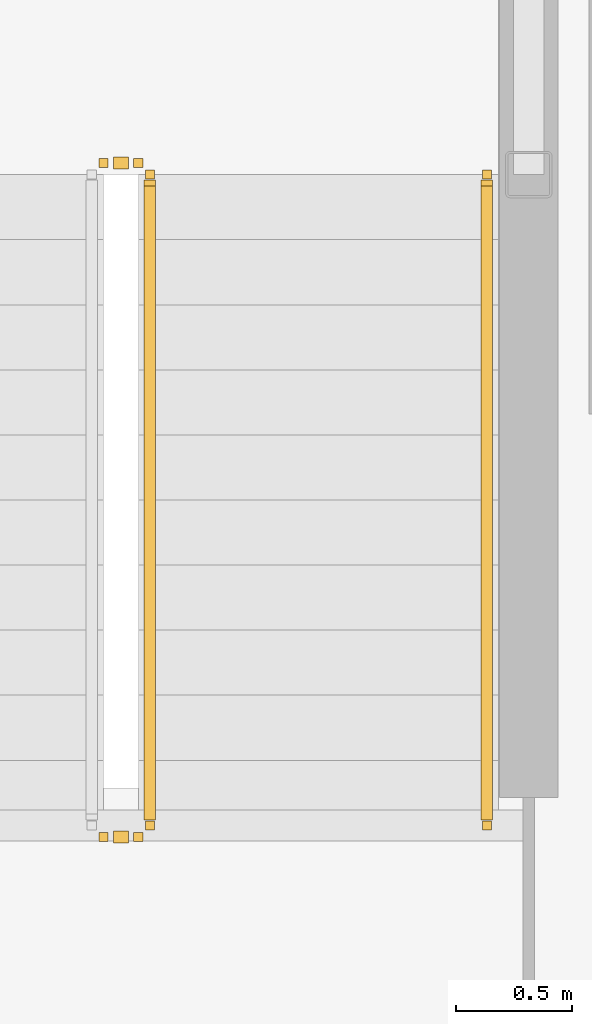
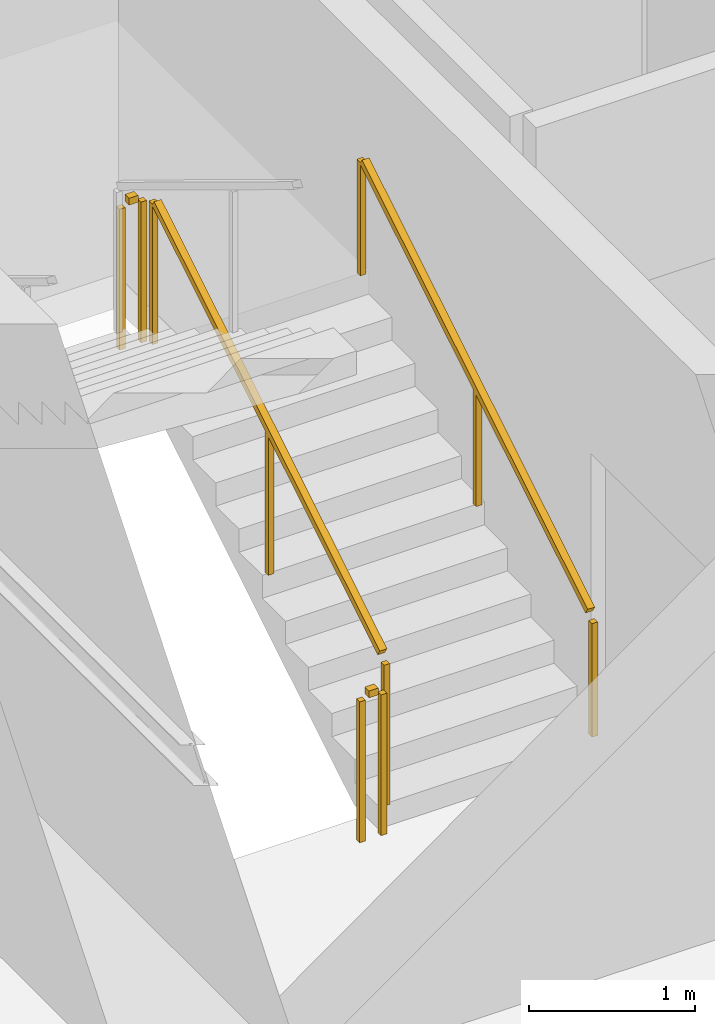
# One storey, part 26 of 31: 4 railings.
"""IFC4 building model written with IfcOpenShell, lengths in metres."""

from ifc_helpers import new_model, si_unit, direction, frame, origin, origin_2d, place, context, subcontext, project, spatial, rectangle, extrude, material, type_object, element, save


model = new_model("IFC4")

# Units and contexts
model_context = context("Model", 3, precision=1e-05, world=origin(), true_north=direction((0.0, 1.0)))
body_context = subcontext(model_context, "Body", "Model", "MODEL_VIEW")
ifc_project = project(units=[si_unit("LENGTHUNIT", "METRE"), si_unit("AREAUNIT", "SQUARE_METRE"), si_unit("VOLUMEUNIT", "CUBIC_METRE"), si_unit("PLANEANGLEUNIT", "RADIAN"), si_unit("MASSUNIT", "GRAM", prefix="KILO")], contexts=[model_context])

# Site, building, storey
site_placement = place(None, origin())
site = spatial("IfcSite", under=ifc_project, at=site_placement, CompositionType="ELEMENT")
building_placement = place(site_placement, origin())
building = spatial("IfcBuilding", under=site, at=building_placement, Name="Kazma Halo Residences", CompositionType="ELEMENT")
storey_placement = place(building_placement, frame((0.0, 0.0, 37.64990234375)))
storey = spatial("IfcBuildingStorey", under=building, at=storey_placement, Name="L08", CompositionType="ELEMENT", Elevation=37.64990234375)

# Railings
ifc_material_1 = material(Name="Painted Steel S355", Category="steel")
railing_type_1 = type_object("IfcRailingType", Name="RLG-STAIR-GRD-1100", PredefinedType="GUARDRAIL", material=ifc_material_1)
railing_1_placement = place(storey_placement, frame((39.550048828125, 39.949951171875, 0.170654296875)))
element("IfcRailing", 1, at=railing_1_placement, inside=storey, type_object=railing_type_1, Name="L08 ST-01 stair guard 1", PredefinedType="GUARDRAIL", context=body_context, shape_type="SweptSolid", body=[
    extrude(rectangle(XDim=0.050048828125, YDim=0.050048828125, at=origin_2d()), frame((0.0, 0.036376953125, 1.09716796875), z_axis=(0.0, 0.854202870247, 0.519939858505), x_axis=(-1.0, 0.0, 0.0)), (0.0, 0.0, 1.0), 3.19287109375),
    extrude(rectangle(XDim=0.0400390625, YDim=0.0400390625, at=origin_2d()), origin(), (0.0, 0.0, 1.0), 1.0380859375),
    extrude(rectangle(XDim=0.0400390625, YDim=0.0400390625, at=origin_2d()), frame((0.0, 1.39990234375, 0.85205078125)), (0.0, 0.0, 1.0), 1.0380859375),
    extrude(rectangle(XDim=0.0400390625, YDim=0.0400390625, at=origin_2d()), frame((0.0, 2.800048828125, 1.704345703125)), (0.0, 0.0, 1.0), 1.0380859375),
])
for number, where, name in (
    (2, (39.5, 42.800048828125, 1.875), "L08 ST-01 stair guard 2"),
    (3, (39.5, 39.89990234375, 0.0), "L08 ST-01 stair guard 4"),
):
    element("IfcRailing", number, at=place(storey_placement, frame(where)), inside=storey, type_object=railing_type_1, Name=name, PredefinedType="GUARDRAIL", context=body_context, shape_type="SweptSolid", body=[
        extrude(rectangle(XDim=0.050048828125, YDim=0.050048828125, at=origin_2d()), frame((-0.04248046875, 0.0, 1.0751953125), z_axis=(-1.0, 0.0, 0.0), x_axis=(0.0, -1.0, 0.0)), (0.0, 0.0, 1.0), 0.06494140625),
        extrude(rectangle(XDim=0.0400390625, YDim=0.0400390625, at=origin_2d()), origin(), (0.0, 0.0, 1.0), 1.0380859375),
        extrude(rectangle(XDim=0.0400390625, YDim=0.0400390625, at=origin_2d()), frame((-0.14990234375, 0.0, 0.0)), (0.0, 0.0, 1.0), 1.0380859375),
    ])
ifc_material_2 = material(Name="Brushed Stainless Steel", Category="steel")
railing_type_2 = type_object("IfcRailingType", Name="RLG-STAIR-HND-900", PredefinedType="HANDRAIL", material=ifc_material_2)
railing_2_placement = place(storey_placement, frame((41.0, 39.949951171875, 0.170654296875)))
element("IfcRailing", 4, at=railing_2_placement, inside=storey, type_object=railing_type_2, Name="L08 ST-01 stair handrail 1", PredefinedType="HANDRAIL", context=body_context, shape_type="SweptSolid", body=[
    extrude(rectangle(XDim=0.050048828125, YDim=0.050048828125, at=origin_2d()), frame((0.0, 0.036376953125, 0.89697265625), z_axis=(0.0, 0.854202870247, 0.519939858505), x_axis=(-1.0, 0.0, 0.0)), (0.0, 0.0, 1.0), 3.19287109375),
    extrude(rectangle(XDim=0.0400390625, YDim=0.0400390625, at=origin_2d()), origin(), (0.0, 0.0, 1.0), 0.837890625),
    extrude(rectangle(XDim=0.0400390625, YDim=0.0400390625, at=origin_2d()), frame((0.0, 1.39990234375, 0.85205078125)), (0.0, 0.0, 1.0), 0.837890625),
    extrude(rectangle(XDim=0.0400390625, YDim=0.0400390625, at=origin_2d()), frame((0.0, 2.800048828125, 1.704345703125)), (0.0, 0.0, 1.0), 0.837890625),
])

save(model, "model.ifc")
